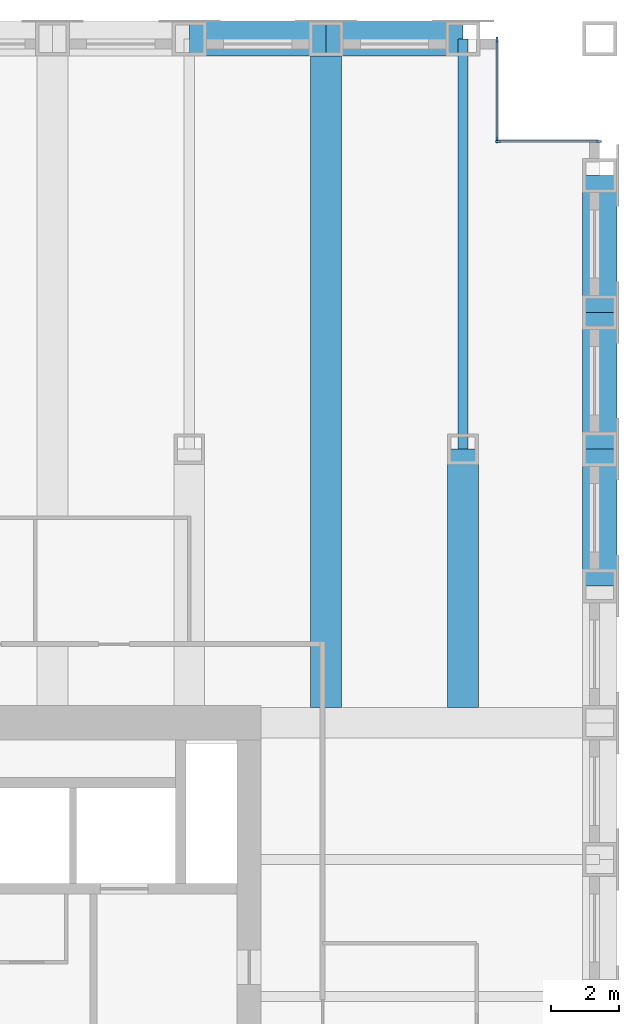
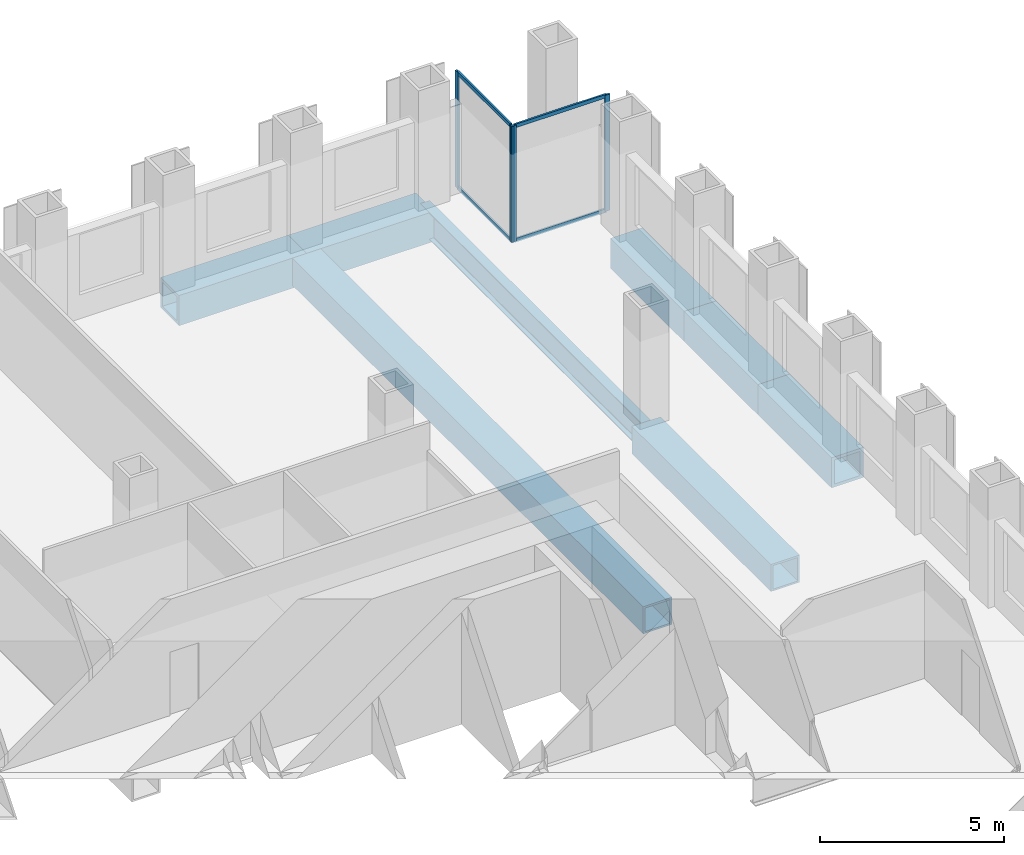
# One storey, part 7 of 14: 8 beams, 8 members, 2 elements without a shape of their own.
"""IFC4 building model written with IfcOpenShell, lengths in metres."""

from ifc_helpers import new_model, si_unit, direction, frame, origin, origin_2d, place, context, subcontext, project, spatial, rectangle, hollow_rectangle, i_section, extrude, material, material_profile, profile_set, type_object, element, aggregate, save


model = new_model("IFC4")

# Units and contexts
model_context = context("Model", 3, precision=1e-05, world=origin(), true_north=direction((0.0, 1.0)))
body_context = subcontext(model_context, "Body", "Model", "MODEL_VIEW")
ifc_project = project(units=[si_unit("LENGTHUNIT", "METRE"), si_unit("AREAUNIT", "SQUARE_METRE"), si_unit("VOLUMEUNIT", "CUBIC_METRE"), si_unit("PLANEANGLEUNIT", "RADIAN"), si_unit("MASSUNIT", "GRAM", prefix="KILO")], contexts=[model_context])

# Site, building, storey
site_placement = place(None, origin())
site = spatial("IfcSite", under=ifc_project, at=site_placement, CompositionType="ELEMENT")
building_placement = place(site_placement, origin())
building = spatial("IfcBuilding", under=site, at=building_placement, Name="Rimbunsela Tower", CompositionType="ELEMENT")
storey_placement = place(building_placement, frame((0.0, 0.0, 183.800048828125)))
storey = spatial("IfcBuildingStorey", under=building, at=storey_placement, Name="L44", CompositionType="ELEMENT", Elevation=183.800048828125)

# Beams
ifc_material_1 = material(Name="Steel BJ 55 (fy 410 MPa)", Category="steel")
ifc_material_profile_1 = material_profile(ifc_material_1, hollow_rectangle(XDim=1.0, YDim=1.0, WallThickness=0.10009765625, at=origin_2d()), Name="BOX 1000x1000x100")
ifc_profile_set_1 = profile_set([ifc_material_profile_1], Name="Steel BJ 55 (fy 410 MPa)")
beam_type_1 = type_object("IfcBeamType", Name="Beam BOX 1000x1000x100", PredefinedType="BEAM", material=ifc_profile_set_1)
for number, where, z_axis, x_axis, name in (
    (1, (34.0, 56.0, -0.650146484375), (1.0, 0.0, 0.0), (0.0, 1.0, 0.0), "Beam B3 L44"),
    (2, (38.0, 56.0, -0.650146484375), (1.0, 0.0, 0.0), (0.0, 1.0, 0.0), "Beam B3 L44"),
    (3, (46.0, 40.0, -0.650146484375), (0.0, 1.0, 0.0), (-1.0, 0.0, 0.0), "Beam B3 L44"),
    (4, (46.0, 44.0, -0.650146484375), (0.0, 1.0, 0.0), (-1.0, 0.0, 0.0), "Beam B3 L44"),
    (5, (46.0, 48.0, -0.650146484375), (0.0, 1.0, 0.0), (-1.0, 0.0, 0.0), "Beam B3 L44"),
):
    element("IfcBeam", number, at=place(storey_placement, frame(where, z_axis=z_axis, x_axis=x_axis)), inside=storey, type_object=beam_type_1, Name=name, PredefinedType="BEAM", context=body_context, shape_type="SweptSolid", body=[
        extrude(hollow_rectangle(XDim=1.0, YDim=1.0, WallThickness=0.10009765625, at=origin_2d()), origin(), (0.0, 0.0, 1.0), 4.0),
    ])
ifc_material_2 = material(Name="Steel BJ 55 (fy 410 MPa)", Category="steel")
ifc_material_profile_2 = material_profile(ifc_material_2, hollow_rectangle(XDim=0.89990234375, YDim=0.89990234375, WallThickness=0.06005859375, at=origin_2d()), Name="BOX 900x900x60")
ifc_profile_set_2 = profile_set([ifc_material_profile_2], Name="Steel BJ 55 (fy 410 MPa)")
beam_type_2 = type_object("IfcBeamType", Name="Beam BOX 900x900x60", PredefinedType="BEAM", material=ifc_profile_set_2)
beam_1_placement = place(storey_placement, frame((38.0, 36.449951171875, -0.60009765625), z_axis=(0.0, 1.0, 0.0), x_axis=(-1.0, 0.0, 0.0)))
element("IfcBeam", 6, at=beam_1_placement, inside=storey, type_object=beam_type_2, Name="Beam B1 L44", PredefinedType="BEAM", context=body_context, shape_type="SweptSolid", body=[
    extrude(hollow_rectangle(XDim=0.89990234375, YDim=0.89990234375, WallThickness=0.06005859375, at=origin_2d()), origin(), (0.0, 0.0, 1.0), 19.550048828125),
])
beam_2_placement = place(storey_placement, frame((42.0, 36.449951171875, -0.60009765625), z_axis=(0.0, 1.0, 0.0), x_axis=(-1.0, 0.0, 0.0)))
element("IfcBeam", 7, at=beam_2_placement, inside=storey, type_object=beam_type_2, Name="Beam B1 L44", PredefinedType="BEAM", context=body_context, shape_type="SweptSolid", body=[
    extrude(hollow_rectangle(XDim=0.89990234375, YDim=0.89990234375, WallThickness=0.06005859375, at=origin_2d()), origin(), (0.0, 0.0, 1.0), 7.550048828125),
])
ifc_material_3 = material(Name="Steel BJ 55 (fy 410 MPa)", Category="steel")
ifc_material_profile_3 = material_profile(ifc_material_3, i_section(OverallWidth=0.300048828125, OverallDepth=0.89990234375, WebThickness=0.01611328125, FlangeThickness=0.028076171875, FilletRadius=0.028076171875, at=origin_2d()), Name="H 900x300x16x28")
ifc_profile_set_3 = profile_set([ifc_material_profile_3], Name="Steel BJ 55 (fy 410 MPa)")
beam_type_3 = type_object("IfcBeamType", Name="Beam H 900x300x16x28", PredefinedType="BEAM", material=ifc_profile_set_3)
beam_3_placement = place(storey_placement, frame((42.0, 44.0, -0.60009765625), z_axis=(0.0, 1.0, 0.0), x_axis=(-1.0, 0.0, 0.0)))
element("IfcBeam", 8, at=beam_3_placement, inside=storey, type_object=beam_type_3, Name="Beam B2 L44", PredefinedType="BEAM", context=body_context, shape_type="SweptSolid", body=[
    extrude(i_section(OverallWidth=0.300048828125, OverallDepth=0.89990234375, WebThickness=0.01611328125, FlangeThickness=0.028076171875, FilletRadius=0.028076171875, at=origin_2d()), origin(), (0.0, 0.0, 1.0), 12.0),
])

# Curtain wall, members
ifc_material_4 = material(Name="Aluminium curtain wall", Category="aluminium")
curtain_wall_type = type_object("IfcCurtainWallType", Name="Corner glazing", PredefinedType="USERDEFINED", material=ifc_material_4)
curtain_wall_1_placement = place(storey_placement, origin())
curtain_wall_1 = element("IfcCurtainWall", 9, at=curtain_wall_1_placement, inside=storey, type_object=curtain_wall_type, Name="Corner glazing L44", ObjectType="CORNER GLAZING", PredefinedType="USERDEFINED")
ifc_material_5 = material(Name="Aluminium mullion", Category="aluminium")
ifc_material_profile_4 = material_profile(ifc_material_5, rectangle(XDim=0.06005859375, YDim=0.159912109375, at=origin_2d()), Name="Mullion 60x160")
ifc_profile_set_4 = profile_set([ifc_material_profile_4], Name="Aluminium mullion")
member_type_1 = type_object("IfcMemberType", Name="Curtain wall mullion 60x160", PredefinedType="MULLION", material=ifc_profile_set_4)
member_1_placement = place(storey_placement, frame((45.969970703125, 53.0, 0.0), z_axis=(0.0, 0.0, 1.0), x_axis=(0.0, -1.0, 0.0)))
member_1 = element("IfcMember", 10, at=member_1_placement, type_object=member_type_1, Name="CW5 mullion 1", PredefinedType="MULLION", context=body_context, shape_type="SweptSolid", body=[
    extrude(rectangle(XDim=0.06005859375, YDim=0.159912109375, at=origin_2d()), origin(), (0.0, 0.0, 1.0), 3.849853515625),
])
member_2_placement = place(storey_placement, frame((43.030029296875, 53.0, 0.0), z_axis=(0.0, 0.0, 1.0), x_axis=(0.0, -1.0, 0.0)))
member_2 = element("IfcMember", 11, at=member_2_placement, type_object=member_type_1, Name="CW5 mullion 2", PredefinedType="MULLION", context=body_context, shape_type="SweptSolid", body=[
    extrude(rectangle(XDim=0.06005859375, YDim=0.159912109375, at=origin_2d()), origin(), (0.0, 0.0, 1.0), 3.849853515625),
])

curtain_wall_2_placement = place(storey_placement, origin())
curtain_wall_2 = element("IfcCurtainWall", 12, at=curtain_wall_2_placement, inside=storey, type_object=curtain_wall_type, Name="Corner glazing L44", ObjectType="CORNER GLAZING", PredefinedType="USERDEFINED")
member_3_placement = place(storey_placement, frame((43.0, 53.030029296875, 0.0), z_axis=(0.0, 0.0, 1.0), x_axis=(-1.0, 0.0, 0.0)))
member_3 = element("IfcMember", 13, at=member_3_placement, type_object=member_type_1, Name="CW5 mullion 1", PredefinedType="MULLION", context=body_context, shape_type="SweptSolid", body=[
    extrude(rectangle(XDim=0.06005859375, YDim=0.159912109375, at=origin_2d()), origin(), (0.0, 0.0, 1.0), 3.849853515625),
])
member_4_placement = place(storey_placement, frame((43.0, 55.969970703125, 0.0), z_axis=(0.0, 0.0, 1.0), x_axis=(-1.0, 0.0, 0.0)))
member_4 = element("IfcMember", 14, at=member_4_placement, type_object=member_type_1, Name="CW5 mullion 2", PredefinedType="MULLION", context=body_context, shape_type="SweptSolid", body=[
    extrude(rectangle(XDim=0.06005859375, YDim=0.159912109375, at=origin_2d()), origin(), (0.0, 0.0, 1.0), 3.849853515625),
])

# Member
ifc_material_6 = material(Name="Aluminium transom", Category="aluminium")
ifc_material_profile_5 = material_profile(ifc_material_6, rectangle(XDim=0.06005859375, YDim=0.1201171875, at=origin_2d()), Name="Transom 60x120")
ifc_profile_set_5 = profile_set([ifc_material_profile_5], Name="Aluminium transom")
member_type_2 = type_object("IfcMemberType", Name="Curtain wall transom 60x120", PredefinedType="USERDEFINED", material=ifc_profile_set_5)
member_5_placement = place(storey_placement, frame((45.93994140625, 53.0, 0.030029296875), z_axis=(-1.0, 0.0, 0.0), x_axis=(0.0, -1.0, 0.0)))
member_5 = element("IfcMember", 15, at=member_5_placement, type_object=member_type_2, Name="CW5 transom 1.1", ObjectType="TRANSOM", PredefinedType="USERDEFINED", context=body_context, shape_type="SweptSolid", body=[
    extrude(rectangle(XDim=0.06005859375, YDim=0.1201171875, at=origin_2d()), origin(), (0.0, 0.0, 1.0), 2.8798828125),
])

member_6_placement = place(storey_placement, frame((45.93994140625, 53.0, 3.820068359375), z_axis=(-1.0, 0.0, 0.0), x_axis=(0.0, -1.0, 0.0)))
member_6 = element("IfcMember", 16, at=member_6_placement, type_object=member_type_2, Name="CW5 transom 1.2", ObjectType="TRANSOM", PredefinedType="USERDEFINED", context=body_context, shape_type="SweptSolid", body=[
    extrude(rectangle(XDim=0.06005859375, YDim=0.1201171875, at=origin_2d()), origin(), (0.0, 0.0, 1.0), 2.8798828125),
])

aggregate(curtain_wall_1, [member_1, member_2, member_5, member_6])

member_7_placement = place(storey_placement, frame((43.0, 53.06005859375, 0.030029296875), z_axis=(0.0, 1.0, 0.0), x_axis=(-1.0, 0.0, 0.0)))
member_7 = element("IfcMember", 17, at=member_7_placement, type_object=member_type_2, Name="CW5 transom 1.1", ObjectType="TRANSOM", PredefinedType="USERDEFINED", context=body_context, shape_type="SweptSolid", body=[
    extrude(rectangle(XDim=0.06005859375, YDim=0.1201171875, at=origin_2d()), origin(), (0.0, 0.0, 1.0), 2.8798828125),
])

member_8_placement = place(storey_placement, frame((43.0, 53.06005859375, 3.820068359375), z_axis=(0.0, 1.0, 0.0), x_axis=(-1.0, 0.0, 0.0)))
member_8 = element("IfcMember", 18, at=member_8_placement, type_object=member_type_2, Name="CW5 transom 1.2", ObjectType="TRANSOM", PredefinedType="USERDEFINED", context=body_context, shape_type="SweptSolid", body=[
    extrude(rectangle(XDim=0.06005859375, YDim=0.1201171875, at=origin_2d()), origin(), (0.0, 0.0, 1.0), 2.8798828125),
])

aggregate(curtain_wall_2, [member_3, member_4, member_7, member_8])

save(model, "model.ifc")
